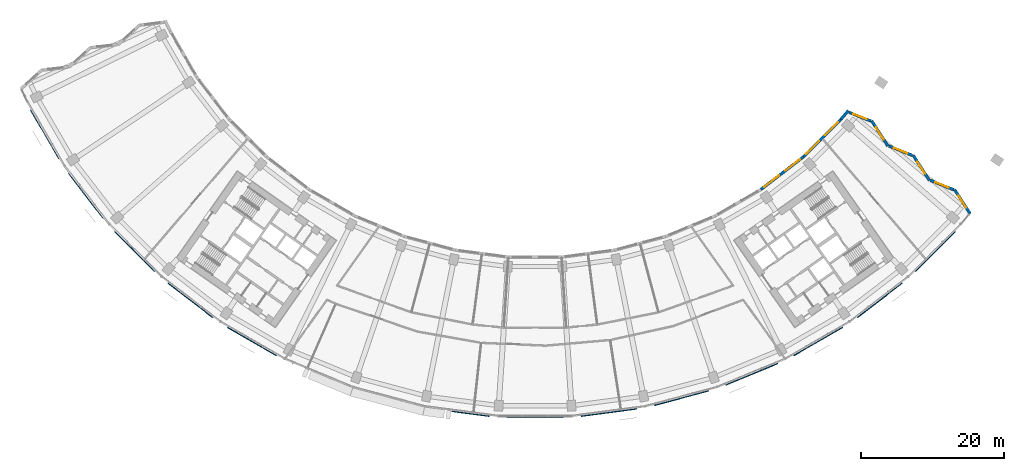
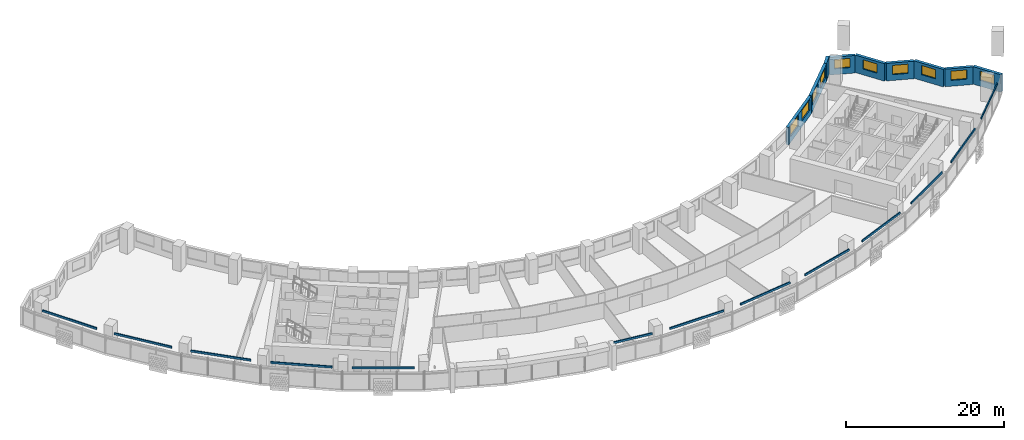
# One storey, part 8 of 29: 13 discrete accessories, 10 windows, 9 walls, 10 openings.
"""IFC4 building model written with IfcOpenShell, lengths in metres."""

import ifcopenshell
import ifcopenshell.guid

model = None  # the IFC model being written
_history = None  # IfcOwnerHistory: only IFC2X3 demands one
_inside = {}  # id of a spatial element -> (the spatial element, [elements in it])
_under = {}  # id of a project, library or spatial element -> (it, [spatial elements below it])
_declared = {}  # id of a project -> (the project, [libraries it declares])
_typed = {}  # id of a type object -> (the type object, [elements of that type])
_made_of = {}  # id of a material, layer set ... -> (it, [elements and type objects made of it])


def new_model(schema):
    """Start an empty IFC model of exactly this schema.

    Asked for "IFC4X3", IfcOpenShell would pick the latest addendum, in which some entities
    have other attributes; the version numbers below select the first issue.
    IFC2X3 requires an IfcOwnerHistory on every rooted entity: one is made here for all.
    """
    global model, _history
    if schema == "IFC4X3":
        model = ifcopenshell.file(schema_version=(4, 3, 0, 0))
    else:
        model = ifcopenshell.file(schema=schema)
    _inside.clear()
    _under.clear()
    _declared.clear()
    _typed.clear()
    _made_of.clear()
    _history = None
    if model.schema == "IFC2X3":
        org = make("IfcOrganization", Name="unknown")
        user = make(
            "IfcPersonAndOrganization",
            ThePerson=make("IfcPerson", FamilyName="unknown"),
            TheOrganization=org,
        )
        app = make(
            "IfcApplication",
            ApplicationDeveloper=org,
            Version="unknown",
            ApplicationFullName="unknown",
            ApplicationIdentifier="unknown",
        )
        _history = make(
            "IfcOwnerHistory",
            OwningUser=user,
            OwningApplication=app,
            ChangeAction="ADDED",
            CreationDate=0,
        )
    return model


def make(cls, **values):
    """One entity of the class cls with the attributes given. An attribute that is None is left unset."""
    return model.create_entity(
        cls, **{name: value for name, value in values.items() if value is not None}
    )


def rooted(cls, **values):
    """An entity with a GlobalId (a new one), such as an element, a storey or a relation."""
    return make(cls, GlobalId=ifcopenshell.guid.new(), OwnerHistory=_history, **values)


def si_unit(unit_type, name, prefix=None):
    """IfcSIUnit, for example si_unit("LENGTHUNIT", "METRE", prefix="MILLI")."""
    return make("IfcSIUnit", UnitType=unit_type, Prefix=prefix, Name=name)


def assignment(units):
    """IfcUnitAssignment: the units of a project."""
    return None if units is None else make("IfcUnitAssignment", Units=units)


def point(xyz):
    """IfcCartesianPoint."""
    return None if xyz is None else make("IfcCartesianPoint", Coordinates=xyz)


def direction(xyz):
    """IfcDirection."""
    return None if xyz is None else make("IfcDirection", DirectionRatios=xyz)


def frame(location, z_axis=None, x_axis=None):
    """IfcAxis2Placement3D, a coordinate frame: its origin and axes. An axis left out is left unset."""
    return make(
        "IfcAxis2Placement3D",
        Location=point(location),
        Axis=direction(z_axis),
        RefDirection=direction(x_axis),
    )


def frame_2d(location, x_axis=None):
    """IfcAxis2Placement2D, a coordinate frame in the plane: its origin and x axis."""
    return make(
        "IfcAxis2Placement2D", Location=point(location), RefDirection=direction(x_axis)
    )


def origin():
    """The frame at (0, 0, 0) with its axes left unset."""
    return frame((0.0, 0.0, 0.0))


def origin_2d():
    """The frame at (0, 0) in the plane with its x axis left unset."""
    return frame_2d((0.0, 0.0))


def place(relative_to, where):
    """IfcLocalPlacement: puts the frame where relative to a parent placement (None: the world)."""
    return make(
        "IfcLocalPlacement", PlacementRelTo=relative_to, RelativePlacement=where
    )


def context(
    kind, dimensions, precision=None, world=None, true_north=None, identifier=None
):
    """IfcGeometricRepresentationContext, for example the 3D "Model" context."""
    return make(
        "IfcGeometricRepresentationContext",
        ContextIdentifier=identifier,
        ContextType=kind,
        CoordinateSpaceDimension=dimensions,
        Precision=precision,
        WorldCoordinateSystem=world,
        TrueNorth=true_north,
    )


def subcontext(parent, identifier, kind, view, scale=None):
    """IfcGeometricRepresentationSubContext, for example "Body" below "Model"."""
    return make(
        "IfcGeometricRepresentationSubContext",
        ContextIdentifier=identifier,
        ContextType=kind,
        ParentContext=parent,
        TargetScale=scale,
        TargetView=view,
    )


def project(units=None, contexts=None):
    """IfcProject with its units and contexts."""
    return rooted(
        "IfcProject",
        Name="project",
        RepresentationContexts=contexts,
        UnitsInContext=assignment(units),
    )


def spatial(cls, under=None, at=None, **own):
    """A site, building, storey or space (cls), placed at a placement, below another one or the project."""
    s = rooted(cls, ObjectPlacement=at, **own)
    if under is not None:
        _under.setdefault(under.id(), (under, []))[1].append(s)
    return s


def profile(cls, at=None, kind="AREA", **sizes):
    """A parametric profile (cls). Its sizes go by their IFC names, for example OverallWidth=200.0."""
    return make(cls, ProfileType=kind, Position=at, **sizes)


def rectangle(**sizes):
    """IfcRectangleProfileDef."""
    return profile("IfcRectangleProfileDef", **sizes)


def extrude(swept, where, along, depth):
    """IfcExtrudedAreaSolid: the profile swept, set in the frame where, extruded along a direction by depth."""
    return make(
        "IfcExtrudedAreaSolid",
        SweptArea=swept,
        Position=where,
        ExtrudedDirection=direction(along),
        Depth=depth,
    )


def shape(context_of_items, identifier, shape_type, items):
    """IfcShapeRepresentation: the items that make up one representation, for example the "Body"."""
    return make(
        "IfcShapeRepresentation",
        ContextOfItems=context_of_items,
        RepresentationIdentifier=identifier,
        RepresentationType=shape_type,
        Items=items,
    )


def material(Name=None, Category=None):
    """IfcMaterial."""
    return make("IfcMaterial", Name=Name, Category=Category)


def layer(
    of_material, thickness, ventilated=None, Name=None, Category=None, Priority=None
):
    """IfcMaterialLayer: one layer of a wall or slab, of a material (None: an air gap)."""
    return make(
        "IfcMaterialLayer",
        Material=of_material,
        LayerThickness=thickness,
        IsVentilated=ventilated,
        Name=Name,
        Category=Category,
        Priority=Priority,
    )


def layer_set(layers, Name=None):
    """IfcMaterialLayerSet."""
    return make("IfcMaterialLayerSet", MaterialLayers=layers, LayerSetName=Name)


def made_of(thing, what):
    """Note that an element or type object is made of a material, layer set ...; save() writes the relation."""
    if what is not None:
        _made_of.setdefault(what.id(), (what, []))[1].append(thing)
    return thing


def type_object(cls, material=None, **own):
    """A type object (cls), such as IfcWallType, which elements share."""
    return made_of(rooted(cls, **own), material)


def element(
    cls,
    number,
    at=None,
    inside=None,
    cuts=None,
    type_object=None,
    material=None,
    context=None,
    identifier="Body",
    shape_type=None,
    held_by="IfcProductDefinitionShape",
    body=None,
    shapes=None,
    **own,
):
    """One element of the class cls, such as IfcWall. Its Tag is "e" and its number.

    at: its placement. inside: the storey or other place that contains it. cuts: it is an
    opening in that element (IfcRelVoidsElement). A single representation is given by context,
    identifier, shape_type and body (its items); several are given by shapes. held_by: the class
    of the entity that holds the representations. save() writes the other relations.
    """
    e = rooted(cls, Tag="e%d" % number, ObjectPlacement=at, **own)
    if body is not None:
        shapes = [shape(context, identifier, shape_type, body)]
    if shapes is not None:
        e.Representation = make(held_by, Representations=shapes)
    if inside is not None:
        _inside.setdefault(inside.id(), (inside, []))[1].append(e)
    if cuts is not None:
        rooted(
            "IfcRelVoidsElement", RelatingBuildingElement=cuts, RelatedOpeningElement=e
        )
    if type_object is not None:
        _typed.setdefault(type_object.id(), (type_object, []))[1].append(e)
    return made_of(e, material)


def fill(opening, filler):
    """IfcRelFillsElement: the door or window that sits in an opening."""
    return rooted(
        "IfcRelFillsElement",
        RelatingOpeningElement=opening,
        RelatedBuildingElement=filler,
    )


def aggregate(whole, parts):
    """IfcRelAggregates: a whole, such as a stair, and the parts it consists of."""
    return rooted("IfcRelAggregates", RelatingObject=whole, RelatedObjects=parts)


def save(model, path):
    """Write the relations noted so far, then the file.

    IfcRelAggregates (storeys below a building ...), IfcRelContainedInSpatialStructure (elements
    in a storey), IfcRelDefinesByType, IfcRelAssociatesMaterial and IfcRelDeclares: one each for
    every whole, place, type object, material and project.
    """
    for whole, parts in _under.values():
        aggregate(whole, parts)
    for where, things in _inside.values():
        rooted(
            "IfcRelContainedInSpatialStructure",
            RelatedElements=things,
            RelatingStructure=where,
        )
    for kind, things in _typed.values():
        rooted("IfcRelDefinesByType", RelatedObjects=things, RelatingType=kind)
    for what, things in _made_of.values():
        rooted("IfcRelAssociatesMaterial", RelatedObjects=things, RelatingMaterial=what)
    for by, libraries in _declared.values():
        rooted("IfcRelDeclares", RelatingContext=by, RelatedDefinitions=libraries)
    model.write(path)


model = new_model("IFC4")

# Units and contexts
model_context = context("Model", 3, precision=1e-05, world=origin(), true_north=direction((0.0, 1.0)))
body_context = subcontext(model_context, "Body", "Model", "MODEL_VIEW")
ifc_project = project(units=[si_unit("LENGTHUNIT", "METRE"), si_unit("AREAUNIT", "SQUARE_METRE"), si_unit("VOLUMEUNIT", "CUBIC_METRE"), si_unit("PLANEANGLEUNIT", "RADIAN"), si_unit("MASSUNIT", "GRAM", prefix="KILO")], contexts=[model_context])

# Site, building, storey
site_placement = place(None, origin())
site = spatial("IfcSite", under=ifc_project, at=site_placement, CompositionType="ELEMENT")
building_placement = place(site_placement, origin())
building = spatial("IfcBuilding", under=site, at=building_placement, Name="Qamariyya Broadcast Tower", CompositionType="ELEMENT")
storey_placement = place(building_placement, frame((0.0, 0.0, 106.300048828125)))
storey = spatial("IfcBuildingStorey", under=building, at=storey_placement, Name="L23", CompositionType="ELEMENT", Elevation=106.300048828125)

# Wall, opening, window
ifc_material_1 = material(Name="Terracotta", Category="masonry")
ifc_layer = layer(ifc_material_1, 0.39990234375)
ifc_layer_set = layer_set([ifc_layer], Name="Terracotta clad wall 400")
wall_type = type_object("IfcWallType", Name="Terracotta clad wall 400", PredefinedType="SOLIDWALL", material=ifc_layer_set)
wall_1_placement = place(storey_placement, frame((60.870849609375, -50.731201171875, 0.0), z_axis=(0.0, 0.0, 1.0), x_axis=(-0.5402286832, 0.841518252831, 0.0)))
wall_1 = element("IfcWall", 1, at=wall_1_placement, inside=storey, type_object=wall_type, Name="e-wl-L23-capE0", PredefinedType="SOLIDWALL", context=body_context, shape_type="SweptSolid", body=[
    extrude(rectangle(XDim=4.013427734375, YDim=0.39990234375, at=frame_2d((2.0068359375, 0.0))), origin(), (0.0, 0.0, 1.0), 2.699951171875),
])
opening_1_placement = place(wall_1_placement, frame((1.0068359375, 0.0, 0.89990234375)))
opening_1 = element("IfcOpeningElement", 2, at=opening_1_placement, cuts=wall_1, Name="Opening W4", PredefinedType="OPENING", context=body_context, shape_type="SweptSolid", body=[
    extrude(rectangle(XDim=2.0, YDim=1.425048828125, at=frame_2d((1.0, 0.71240234375))), frame((0.0, 0.2099609375, 0.0), z_axis=(0.0, -1.0, 0.0), x_axis=(1.0, 0.0, 0.0)), (0.0, 0.0, 1.0), 0.419921875),
])
ifc_material_2 = material(Name="Clear low-e double glazed unit in aluminium frame", Category="aluminium")
window_type_1 = type_object("IfcWindowType", Name="Horn bay window 2000 x 1425", PartitioningType="SINGLE_PANEL", PredefinedType="WINDOW", material=ifc_material_2)
window_1_placement = place(opening_1_placement, origin())
window_1 = element("IfcWindow", 3, at=window_1_placement, inside=storey, type_object=window_type_1, Name="e-w-L23-capE0", OverallHeight=1.425048828125, OverallWidth=2.0, PartitioningType="SINGLE_PANEL", PredefinedType="WINDOW", context=body_context, shape_type="SweptSolid", body=[
    extrude(rectangle(XDim=2.0, YDim=1.425048828125, at=frame_2d((1.0, 0.71240234375))), frame((0.0, 0.030029296875, 0.0), z_axis=(0.0, -1.0, 0.0), x_axis=(1.0, 0.0, 0.0)), (0.0, 0.0, 1.0), 0.06005859375),
])
fill(opening_1, window_1)

wall_2_placement = place(storey_placement, frame((58.570556640625, -47.372314453125, 0.0), z_axis=(0.0, 0.0, 1.0), x_axis=(-0.927451156347, 0.3739443175, 0.0)))
wall_2 = element("IfcWall", 4, at=wall_2_placement, inside=storey, type_object=wall_type, Name="e-wl-L23-capE1", PredefinedType="SOLIDWALL", context=body_context, shape_type="SweptSolid", body=[
    extrude(rectangle(XDim=3.525634765625, YDim=0.39990234375, at=frame_2d((1.7626953125, 0.0))), origin(), (0.0, 0.0, 1.0), 2.699951171875),
])
opening_2_placement = place(wall_2_placement, frame((0.762939453125, 0.0, 0.89990234375)))
opening_2 = element("IfcOpeningElement", 5, at=opening_2_placement, cuts=wall_2, Name="Opening W4", PredefinedType="OPENING", context=body_context, shape_type="SweptSolid", body=[
    extrude(rectangle(XDim=2.0, YDim=1.425048828125, at=frame_2d((1.0, 0.71240234375))), frame((0.0, 0.2099609375, 0.0), z_axis=(0.0, -1.0, 0.0), x_axis=(1.0, 0.0, 0.0)), (0.0, 0.0, 1.0), 0.419921875),
])
window_2_placement = place(opening_2_placement, origin())
window_2 = element("IfcWindow", 6, at=window_2_placement, inside=storey, type_object=window_type_1, Name="e-w-L23-capE1", OverallHeight=1.425048828125, OverallWidth=2.0, PartitioningType="SINGLE_PANEL", PredefinedType="WINDOW", context=body_context, shape_type="SweptSolid", body=[
    extrude(rectangle(XDim=2.0, YDim=1.425048828125, at=frame_2d((1.0, 0.71240234375))), frame((0.0, 0.030029296875, 0.0), z_axis=(0.0, -1.0, 0.0), x_axis=(1.0, 0.0, 0.0)), (0.0, 0.0, 1.0), 0.06005859375),
])
fill(opening_2, window_2)

wall_3_placement = place(storey_placement, frame((55.1689453125, -46.072509765625, 0.0), z_axis=(0.0, 0.0, 1.0), x_axis=(-0.540363216199, 0.841431871621, 0.0)))
wall_3 = element("IfcWall", 7, at=wall_3_placement, inside=storey, type_object=wall_type, Name="e-wl-L23-capE2", PredefinedType="SOLIDWALL", context=body_context, shape_type="SweptSolid", body=[
    extrude(rectangle(XDim=4.193115234375, YDim=0.39990234375, at=frame_2d((2.0966796875, 0.0))), origin(), (0.0, 0.0, 1.0), 2.699951171875),
])
opening_3_placement = place(wall_3_placement, frame((1.0966796875, 0.0, 0.89990234375)))
opening_3 = element("IfcOpeningElement", 8, at=opening_3_placement, cuts=wall_3, Name="Opening W4", PredefinedType="OPENING", context=body_context, shape_type="SweptSolid", body=[
    extrude(rectangle(XDim=2.0, YDim=1.425048828125, at=frame_2d((1.0, 0.71240234375))), frame((0.0, 0.2099609375, 0.0), z_axis=(0.0, -1.0, 0.0), x_axis=(1.0, 0.0, 0.0)), (0.0, 0.0, 1.0), 0.419921875),
])
window_3_placement = place(opening_3_placement, origin())
window_3 = element("IfcWindow", 9, at=window_3_placement, inside=storey, type_object=window_type_1, Name="e-w-L23-capE2", OverallHeight=1.425048828125, OverallWidth=2.0, PartitioningType="SINGLE_PANEL", PredefinedType="WINDOW", context=body_context, shape_type="SweptSolid", body=[
    extrude(rectangle(XDim=2.0, YDim=1.425048828125, at=frame_2d((1.0, 0.71240234375))), frame((0.0, 0.030029296875, 0.0), z_axis=(0.0, -1.0, 0.0), x_axis=(1.0, 0.0, 0.0)), (0.0, 0.0, 1.0), 0.06005859375),
])
fill(opening_3, window_3)

wall_4_placement = place(storey_placement, frame((52.771240234375, -42.562744140625, 0.0), z_axis=(0.0, 0.0, 1.0), x_axis=(-0.927470142808, 0.373897224113, 0.0)))
wall_4 = element("IfcWall", 10, at=wall_4_placement, inside=storey, type_object=wall_type, Name="e-wl-L23-capE3", PredefinedType="SOLIDWALL", context=body_context, shape_type="SweptSolid", body=[
    extrude(rectangle(XDim=3.524658203125, YDim=0.39990234375, at=frame_2d((1.76220703125, 0.0))), origin(), (0.0, 0.0, 1.0), 2.699951171875),
])
opening_4_placement = place(wall_4_placement, frame((0.762451171875, 0.0, 0.89990234375)))
opening_4 = element("IfcOpeningElement", 11, at=opening_4_placement, cuts=wall_4, Name="Opening W4", PredefinedType="OPENING", context=body_context, shape_type="SweptSolid", body=[
    extrude(rectangle(XDim=2.0, YDim=1.425048828125, at=frame_2d((1.0, 0.71240234375))), frame((0.0, 0.2099609375, 0.0), z_axis=(0.0, -1.0, 0.0), x_axis=(1.0, 0.0, 0.0)), (0.0, 0.0, 1.0), 0.419921875),
])
window_4_placement = place(opening_4_placement, origin())
window_4 = element("IfcWindow", 12, at=window_4_placement, inside=storey, type_object=window_type_1, Name="e-w-L23-capE3", OverallHeight=1.425048828125, OverallWidth=2.0, PartitioningType="SINGLE_PANEL", PredefinedType="WINDOW", context=body_context, shape_type="SweptSolid", body=[
    extrude(rectangle(XDim=2.0, YDim=1.425048828125, at=frame_2d((1.0, 0.71240234375))), frame((0.0, 0.030029296875, 0.0), z_axis=(0.0, -1.0, 0.0), x_axis=(1.0, 0.0, 0.0)), (0.0, 0.0, 1.0), 0.06005859375),
])
fill(opening_4, window_4)

wall_5_placement = place(storey_placement, frame((49.370361328125, -41.263427734375, 0.0), z_axis=(0.0, 0.0, 1.0), x_axis=(-0.540422193648, 0.841393993687, 0.0)))
wall_5 = element("IfcWall", 13, at=wall_5_placement, inside=storey, type_object=wall_type, Name="e-wl-L23-capE4", PredefinedType="SOLIDWALL", context=body_context, shape_type="SweptSolid", body=[
    extrude(rectangle(XDim=4.194580078125, YDim=0.39990234375, at=frame_2d((2.09716796875, 0.0))), origin(), (0.0, 0.0, 1.0), 2.699951171875),
])
opening_5_placement = place(wall_5_placement, frame((1.09716796875, 0.0, 0.89990234375)))
opening_5 = element("IfcOpeningElement", 14, at=opening_5_placement, cuts=wall_5, Name="Opening W4", PredefinedType="OPENING", context=body_context, shape_type="SweptSolid", body=[
    extrude(rectangle(XDim=2.0, YDim=1.425048828125, at=frame_2d((1.0, 0.71240234375))), frame((0.0, 0.2099609375, 0.0), z_axis=(0.0, -1.0, 0.0), x_axis=(1.0, 0.0, 0.0)), (0.0, 0.0, 1.0), 0.419921875),
])
window_5_placement = place(opening_5_placement, origin())
window_5 = element("IfcWindow", 15, at=window_5_placement, inside=storey, type_object=window_type_1, Name="e-w-L23-capE4", OverallHeight=1.425048828125, OverallWidth=2.0, PartitioningType="SINGLE_PANEL", PredefinedType="WINDOW", context=body_context, shape_type="SweptSolid", body=[
    extrude(rectangle(XDim=2.0, YDim=1.425048828125, at=frame_2d((1.0, 0.71240234375))), frame((0.0, 0.030029296875, 0.0), z_axis=(0.0, -1.0, 0.0), x_axis=(1.0, 0.0, 0.0)), (0.0, 0.0, 1.0), 0.06005859375),
])
fill(opening_5, window_5)

wall_6_placement = place(storey_placement, frame((46.9716796875, -37.752685546875, 0.0), z_axis=(0.0, 0.0, 1.0), x_axis=(-0.927527765416, 0.373754256674, 0.0)))
wall_6 = element("IfcWall", 16, at=wall_6_placement, inside=storey, type_object=wall_type, Name="e-wl-L23-capE5", PredefinedType="SOLIDWALL", context=body_context, shape_type="SweptSolid", body=[
    extrude(rectangle(XDim=3.275146484375, YDim=0.39990234375, at=frame_2d((1.6376953125, 0.0))), origin(), (0.0, 0.0, 1.0), 2.699951171875),
])
opening_6_placement = place(wall_6_placement, frame((0.6376953125, 0.0, 0.89990234375)))
opening_6 = element("IfcOpeningElement", 17, at=opening_6_placement, cuts=wall_6, Name="Opening W4", PredefinedType="OPENING", context=body_context, shape_type="SweptSolid", body=[
    extrude(rectangle(XDim=2.0, YDim=1.425048828125, at=frame_2d((1.0, 0.71240234375))), frame((0.0, 0.2099609375, 0.0), z_axis=(0.0, -1.0, 0.0), x_axis=(1.0, 0.0, 0.0)), (0.0, 0.0, 1.0), 0.419921875),
])
window_6_placement = place(opening_6_placement, origin())
window_6 = element("IfcWindow", 18, at=window_6_placement, inside=storey, type_object=window_type_1, Name="e-w-L23-capE5", OverallHeight=1.425048828125, OverallWidth=2.0, PartitioningType="SINGLE_PANEL", PredefinedType="WINDOW", context=body_context, shape_type="SweptSolid", body=[
    extrude(rectangle(XDim=2.0, YDim=1.425048828125, at=frame_2d((1.0, 0.71240234375))), frame((0.0, 0.030029296875, 0.0), z_axis=(0.0, -1.0, 0.0), x_axis=(1.0, 0.0, 0.0)), (0.0, 0.0, 1.0), 0.06005859375),
])
fill(opening_6, window_6)

# Wall, openings, windows
wall_7_placement = place(storey_placement, frame((37.536865234375, -42.764892578125, 0.0), z_axis=(0.0, 0.0, 1.0), x_axis=(-0.793363487476, -0.608748204711, 0.0)))
wall_7 = element("IfcWall", 19, at=wall_7_placement, inside=storey, type_object=wall_type, Name="e-wl-L23-in140", PredefinedType="SOLIDWALL", context=body_context, shape_type="SweptSolid", body=[
    extrude(rectangle(XDim=7.492919921875, YDim=0.39990234375, at=frame_2d((3.74658203125, 0.0))), origin(), (0.0, 0.0, 1.0), 2.699951171875),
])
opening_7_placement = place(wall_7_placement, frame((4.300537109375, 0.0, 0.89990234375)))
opening_7 = element("IfcOpeningElement", 20, at=opening_7_placement, cuts=wall_7, Name="Opening W1", PredefinedType="OPENING", context=body_context, shape_type="SweptSolid", body=[
    extrude(rectangle(XDim=2.60009765625, YDim=1.64990234375, at=frame_2d((1.300048828125, 0.824951171875))), frame((0.0, 0.2099609375, 0.0), z_axis=(0.0, -1.0, 0.0), x_axis=(1.0, 0.0, 0.0)), (0.0, 0.0, 1.0), 0.419921875),
])
opening_8_placement = place(wall_7_placement, frame((0.59228515625, 0.0, 0.89990234375)))
opening_8 = element("IfcOpeningElement", 21, at=opening_8_placement, cuts=wall_7, Name="Opening W1", PredefinedType="OPENING", context=body_context, shape_type="SweptSolid", body=[
    extrude(rectangle(XDim=2.60009765625, YDim=1.64990234375, at=frame_2d((1.300048828125, 0.824951171875))), frame((0.0, 0.2099609375, 0.0), z_axis=(0.0, -1.0, 0.0), x_axis=(1.0, 0.0, 0.0)), (0.0, 0.0, 1.0), 0.419921875),
])
window_type_2 = type_object("IfcWindowType", Name="Ribbon window 2600 x 1650", PartitioningType="SINGLE_PANEL", PredefinedType="WINDOW", material=ifc_material_2)
window_7_placement = place(opening_7_placement, origin())
window_7 = element("IfcWindow", 22, at=window_7_placement, inside=storey, type_object=window_type_2, Name="e-w-L23-in14-0", OverallHeight=1.64990234375, OverallWidth=2.60009765625, PartitioningType="SINGLE_PANEL", PredefinedType="WINDOW", context=body_context, shape_type="SweptSolid", body=[
    extrude(rectangle(XDim=2.60009765625, YDim=1.64990234375, at=frame_2d((1.300048828125, 0.824951171875))), frame((0.0, 0.030029296875, 0.0), z_axis=(0.0, -1.0, 0.0), x_axis=(1.0, 0.0, 0.0)), (0.0, 0.0, 1.0), 0.06005859375),
])
fill(opening_7, window_7)
window_8_placement = place(opening_8_placement, origin())
window_8 = element("IfcWindow", 23, at=window_8_placement, inside=storey, type_object=window_type_2, Name="e-w-L23-in14-1", OverallHeight=1.64990234375, OverallWidth=2.60009765625, PartitioningType="SINGLE_PANEL", PredefinedType="WINDOW", context=body_context, shape_type="SweptSolid", body=[
    extrude(rectangle(XDim=2.60009765625, YDim=1.64990234375, at=frame_2d((1.300048828125, 0.824951171875))), frame((0.0, 0.030029296875, 0.0), z_axis=(0.0, -1.0, 0.0), x_axis=(1.0, 0.0, 0.0)), (0.0, 0.0, 1.0), 0.06005859375),
])
fill(opening_8, window_8)

wall_8_placement = place(storey_placement, frame((42.754638671875, -37.54248046875, 0.0), z_axis=(0.0, 0.0, 1.0), x_axis=(-0.707106781187, -0.707106781187, 0.0)))
wall_8 = element("IfcWall", 24, at=wall_8_placement, inside=storey, type_object=wall_type, Name="e-wl-L23-in150", PredefinedType="SOLIDWALL", context=body_context, shape_type="SweptSolid", body=[
    extrude(rectangle(XDim=7.356201171875, YDim=0.39990234375, at=frame_2d((3.67822265625, 0.0))), origin(), (0.0, 0.0, 1.0), 2.699951171875),
])
opening_9_placement = place(wall_8_placement, frame((4.23974609375, 0.0, 0.89990234375)))
opening_9 = element("IfcOpeningElement", 25, at=opening_9_placement, cuts=wall_8, Name="Opening W1", PredefinedType="OPENING", context=body_context, shape_type="SweptSolid", body=[
    extrude(rectangle(XDim=2.60009765625, YDim=1.64990234375, at=frame_2d((1.300048828125, 0.824951171875))), frame((0.0, 0.2099609375, 0.0), z_axis=(0.0, -1.0, 0.0), x_axis=(1.0, 0.0, 0.0)), (0.0, 0.0, 1.0), 0.419921875),
])
opening_10_placement = place(wall_8_placement, frame((0.531494140625, 0.0, 0.89990234375)))
opening_10 = element("IfcOpeningElement", 26, at=opening_10_placement, cuts=wall_8, Name="Opening W1", PredefinedType="OPENING", context=body_context, shape_type="SweptSolid", body=[
    extrude(rectangle(XDim=2.60009765625, YDim=1.64990234375, at=frame_2d((1.300048828125, 0.824951171875))), frame((0.0, 0.2099609375, 0.0), z_axis=(0.0, -1.0, 0.0), x_axis=(1.0, 0.0, 0.0)), (0.0, 0.0, 1.0), 0.419921875),
])
window_9_placement = place(opening_9_placement, origin())
window_9 = element("IfcWindow", 27, at=window_9_placement, inside=storey, type_object=window_type_2, Name="e-w-L23-in15-0", OverallHeight=1.64990234375, OverallWidth=2.60009765625, PartitioningType="SINGLE_PANEL", PredefinedType="WINDOW", context=body_context, shape_type="SweptSolid", body=[
    extrude(rectangle(XDim=2.60009765625, YDim=1.64990234375, at=frame_2d((1.300048828125, 0.824951171875))), frame((0.0, 0.030029296875, 0.0), z_axis=(0.0, -1.0, 0.0), x_axis=(1.0, 0.0, 0.0)), (0.0, 0.0, 1.0), 0.06005859375),
])
fill(opening_9, window_9)
window_10_placement = place(opening_10_placement, origin())
window_10 = element("IfcWindow", 28, at=window_10_placement, inside=storey, type_object=window_type_2, Name="e-w-L23-in15-1", OverallHeight=1.64990234375, OverallWidth=2.60009765625, PartitioningType="SINGLE_PANEL", PredefinedType="WINDOW", context=body_context, shape_type="SweptSolid", body=[
    extrude(rectangle(XDim=2.60009765625, YDim=1.64990234375, at=frame_2d((1.300048828125, 0.824951171875))), frame((0.0, 0.030029296875, 0.0), z_axis=(0.0, -1.0, 0.0), x_axis=(1.0, 0.0, 0.0)), (0.0, 0.0, 1.0), 0.06005859375),
])
fill(opening_10, window_10)

# Wall
wall_9_placement = place(storey_placement, frame((43.825439453125, -36.290771484375, 0.0), z_axis=(0.0, 0.0, 1.0), x_axis=(-0.64892877364, -0.760849161623, 0.0)))
element("IfcWall", 29, at=wall_9_placement, inside=storey, type_object=wall_type, Name="e-wl-L23-in160", PredefinedType="SOLIDWALL", context=body_context, shape_type="SweptSolid", body=[
    extrude(rectangle(XDim=1.631591796875, YDim=0.39990234375, at=frame_2d((0.81591796875, 0.0))), origin(), (0.0, 0.0, 1.0), 2.699951171875),
])

# Discrete accessories
ifc_material_3 = material(Name="Stainless steel 316", Category="steel")
discrete_accessory_type = type_object("IfcDiscreteAccessoryType", Name="Slab edge fixing angle, stainless steel", PredefinedType="BRACKET", material=ifc_material_3)
for number, where, z_axis, x_axis, name in (
    (30, (-68.59375, -39.6025390625, 3.2998046875), (0.0, 0.0, 1.0), (0.5, -0.866025403784, 0.0), "e-br-L23-01-0"),
    (31, (-62.837646484375, -48.217041015625, 3.2998046875), (0.0, 0.0, 1.0), (0.608761429009, -0.793353340291, 0.0), "e-br-L23-02-0"),
    (32, (-56.006591796875, -56.006591796875, 3.2998046875), (0.0, 0.0, 1.0), (0.707106781187, -0.707106781187, 0.0), "e-br-L23-03-0"),
    (33, (-48.217041015625, -62.837646484375, 3.2998046875), (0.0, 0.0, 1.0), (0.793353340291, -0.608761429009, 0.0), "e-br-L23-04-0"),
    (34, (-39.6025390625, -68.59375, 3.2998046875), (0.0, 0.0, 1.0), (0.866025403784, -0.5, 0.0), "e-br-L23-05-0"),
):
    element("IfcDiscreteAccessory", number, at=place(storey_placement, frame(where, z_axis=z_axis, x_axis=x_axis)), inside=storey, type_object=discrete_accessory_type, Name=name, PredefinedType="BRACKET", context=body_context, shape_type="SweptSolid", body=[
        extrude(rectangle(XDim=7.879638671875, YDim=0.14990234375, at=origin_2d()), origin(), (0.0, 0.0, 1.0), 0.300048828125),
    ])
discrete_accessory_placement = place(storey_placement, frame((-9.052734375, -78.69677734375, 3.2998046875), z_axis=(0.0, 0.0, 1.0), x_axis=(0.991444861374, -0.13052619222, 0.0)))
element("IfcDiscreteAccessory", 35, at=discrete_accessory_placement, inside=storey, type_object=discrete_accessory_type, Name="e-br-L23-08-0", PredefinedType="BRACKET", context=body_context, shape_type="SweptSolid", body=[
    extrude(rectangle(XDim=5.286376953125, YDim=0.14990234375, at=origin_2d()), origin(), (0.0, 0.0, 1.0), 0.300048828125),
])
for number, where, z_axis, x_axis, name in (
    (36, (0.0, -79.205322265625, 3.2998046875), (0.0, 0.0, 1.0), (1.0, 0.0, 0.0), "e-br-L23-09-0"),
    (37, (10.33837890625, -78.527587890625, 3.2998046875), (0.0, 0.0, 1.0), (0.991444861374, 0.13052619222, 0.0), "e-br-L23-10-0"),
    (38, (20.499755859375, -76.50634765625, 3.2998046875), (0.0, 0.0, 1.0), (0.965925826289, 0.258819045103, 0.0), "e-br-L23-11-0"),
    (39, (30.310546875, -73.176025390625, 3.2998046875), (0.0, 0.0, 1.0), (0.923879532511, 0.382683432365, 0.0), "e-br-L23-12-0"),
    (40, (39.6025390625, -68.59375, 3.2998046875), (0.0, 0.0, 1.0), (0.866025403784, 0.5, 0.0), "e-br-L23-13-0"),
    (41, (48.217041015625, -62.837646484375, 3.2998046875), (0.0, 0.0, 1.0), (0.793353340291, 0.608761429009, 0.0), "e-br-L23-14-0"),
    (42, (56.006591796875, -56.006591796875, 3.2998046875), (0.0, 0.0, 1.0), (0.707106781187, 0.707106781187, 0.0), "e-br-L23-15-0"),
):
    element("IfcDiscreteAccessory", number, at=place(storey_placement, frame(where, z_axis=z_axis, x_axis=x_axis)), inside=storey, type_object=discrete_accessory_type, Name=name, PredefinedType="BRACKET", context=body_context, shape_type="SweptSolid", body=[
        extrude(rectangle(XDim=7.879638671875, YDim=0.14990234375, at=origin_2d()), origin(), (0.0, 0.0, 1.0), 0.300048828125),
    ])

save(model, "model.ifc")
